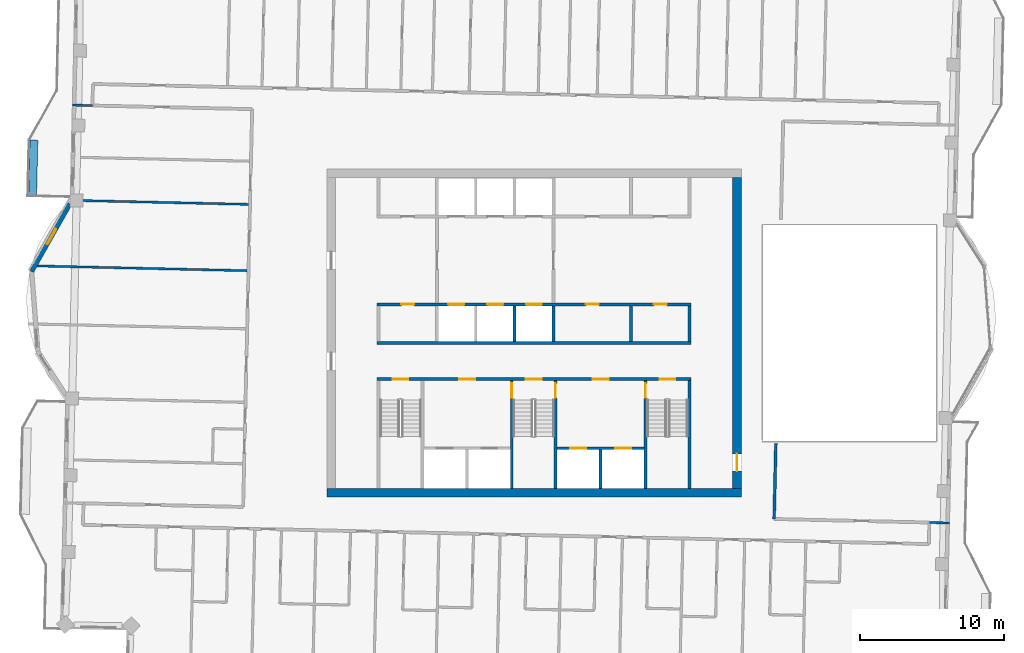
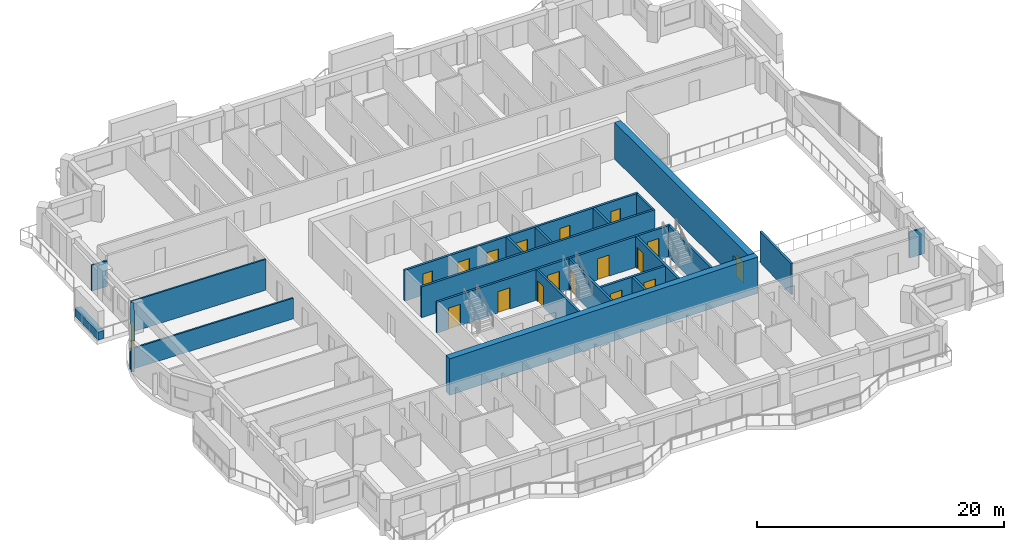
# One storey, part 7 of 15: 22 walls, 17 doors, 1 window, 18 openings.
"""IFC4 building model written with IfcOpenShell, lengths in metres."""

from ifc_helpers import new_model, si_unit, direction, frame, frame_2d, origin, place, context, subcontext, project, spatial, rectangle, extrude, material, layer, layer_set, type_object, element, fill, save


model = new_model("IFC4")

# Units and contexts
model_context = context("Model", 3, precision=1e-05, world=origin(), true_north=direction((0.0, 1.0)))
body_context = subcontext(model_context, "Body", "Model", "MODEL_VIEW")
ifc_project = project(units=[si_unit("LENGTHUNIT", "METRE"), si_unit("AREAUNIT", "SQUARE_METRE"), si_unit("VOLUMEUNIT", "CUBIC_METRE"), si_unit("PLANEANGLEUNIT", "RADIAN"), si_unit("MASSUNIT", "GRAM", prefix="KILO")], contexts=[model_context])

# Site, building, storey
site_placement = place(None, origin())
site = spatial("IfcSite", under=ifc_project, at=site_placement, CompositionType="ELEMENT")
building_placement = place(site_placement, origin())
building = spatial("IfcBuilding", under=site, at=building_placement, Name="Mangrove Gate Tower", CompositionType="ELEMENT")
storey_placement = place(building_placement, frame((0.0, 0.0, 309.699951171875)))
storey = spatial("IfcBuildingStorey", under=building, at=storey_placement, Name="L79", CompositionType="ELEMENT", Elevation=309.699951171875)

# Walls
ifc_material_1 = material(Name="Concrete C32/40", Category="concrete")
ifc_layer_1 = layer(ifc_material_1, 0.199951171875)
ifc_layer_set_1 = layer_set([ifc_layer_1], Name="Core room wall 200 C32/40")
wall_type_1 = type_object("IfcWallType", Name="Core room wall 200 C32/40", PredefinedType="STANDARD", material=ifc_layer_set_1)
for number, where, z_axis, x_axis, name in (
    (1, (6.75, -0.60009765625, 0.0), (0.0, 0.0, 1.0), (0.0, 1.0, 0.0), "WALL-L79-CORE-24"),
    (2, (10.800048828125, -0.60009765625, 0.0), (0.0, 0.0, 1.0), (0.0, 1.0, 0.0), "WALL-L79-CORE-25"),
):
    element("IfcWall", number, at=place(storey_placement, frame(where, z_axis=z_axis, x_axis=x_axis)), inside=storey, type_object=wall_type_1, Name=name, PredefinedType="STANDARD", context=body_context, shape_type="SweptSolid", body=[
        extrude(rectangle(XDim=2.5, YDim=0.199951171875, at=frame_2d((1.25, 0.0))), origin(), (0.0, 0.0, 1.0), 3.050048828125),
    ])
ifc_material_2 = material(Name="Concrete C50/60", Category="concrete")
ifc_layer_2 = layer(ifc_material_2, 0.199951171875)
ifc_layer_set_2 = layer_set([ifc_layer_2], Name="Core shaft wall 200 C50/60")
wall_type_2 = type_object("IfcWallType", Name="Core shaft wall 200 C50/60", PredefinedType="SHEAR", material=ifc_layer_set_2)
wall_1_placement = place(storey_placement, frame((-10.89990234375, -0.699951171875, 0.0), z_axis=(0.0, 0.0, 1.0), x_axis=(1.0, 0.0, 0.0)))
element("IfcWall", 3, at=wall_1_placement, inside=storey, type_object=wall_type_2, Name="WALL-L79-CORE-6", PredefinedType="SHEAR", context=body_context, shape_type="SweptSolid", body=[
    extrude(rectangle(XDim=21.7998046875, YDim=0.199951171875, at=frame_2d((10.89990234375, 0.0))), origin(), (0.0, 0.0, 1.0), 3.050048828125),
])

# Wall, openings, doors
wall_2_placement = place(storey_placement, frame((-10.89990234375, 2.0, 0.0), z_axis=(0.0, 0.0, 1.0), x_axis=(1.0, 0.0, 0.0)))
wall_2 = element("IfcWall", 4, at=wall_2_placement, inside=storey, type_object=wall_type_2, Name="WALL-L79-CORE-7", PredefinedType="SHEAR", context=body_context, shape_type="SweptSolid", body=[
    extrude(rectangle(XDim=21.7998046875, YDim=0.199951171875, at=frame_2d((10.89990234375, 0.0))), origin(), (0.0, 0.0, 1.0), 3.050048828125),
])
opening_1_placement = place(wall_2_placement, frame((4.949951171875, 0.0, 0.0)))
opening_1 = element("IfcOpeningElement", 5, at=opening_1_placement, cuts=wall_2, Name="Opening LD", PredefinedType="OPENING", context=body_context, shape_type="SweptSolid", body=[
    extrude(rectangle(XDim=1.10009765625, YDim=2.10009765625, at=frame_2d((0.550048828125, 1.050048828125))), frame((0.0, 0.10986328125, 0.0), z_axis=(0.0, -1.0, 0.0), x_axis=(1.0, 0.0, 0.0)), (0.0, 0.0, 1.0), 0.219970703125),
])
opening_2_placement = place(wall_2_placement, frame((7.64990234375, 0.0, 0.0)))
opening_2 = element("IfcOpeningElement", 6, at=opening_2_placement, cuts=wall_2, Name="Opening LD", PredefinedType="OPENING", context=body_context, shape_type="SweptSolid", body=[
    extrude(rectangle(XDim=1.10009765625, YDim=2.10009765625, at=frame_2d((0.550048828125, 1.050048828125))), frame((0.0, 0.10986328125, 0.0), z_axis=(0.0, -1.0, 0.0), x_axis=(1.0, 0.0, 0.0)), (0.0, 0.0, 1.0), 0.219970703125),
])
opening_3_placement = place(wall_2_placement, frame((10.35009765625, 0.0, 0.0)))
opening_3 = element("IfcOpeningElement", 7, at=opening_3_placement, cuts=wall_2, Name="Opening LD", PredefinedType="OPENING", context=body_context, shape_type="SweptSolid", body=[
    extrude(rectangle(XDim=1.10009765625, YDim=2.10009765625, at=frame_2d((0.550048828125, 1.050048828125))), frame((0.0, 0.10986328125, 0.0), z_axis=(0.0, -1.0, 0.0), x_axis=(1.0, 0.0, 0.0)), (0.0, 0.0, 1.0), 0.219970703125),
])
opening_4_placement = place(wall_2_placement, frame((1.675048828125, 0.0, 0.0)))
opening_4 = element("IfcOpeningElement", 8, at=opening_4_placement, cuts=wall_2, Name="Opening KD", PredefinedType="OPENING", context=body_context, shape_type="SweptSolid", body=[
    extrude(rectangle(XDim=0.89990234375, YDim=2.10009765625, at=frame_2d((0.449951171875, 1.050048828125))), frame((0.0, 0.10986328125, 0.0), z_axis=(0.0, -1.0, 0.0), x_axis=(1.0, 0.0, 0.0)), (0.0, 0.0, 1.0), 0.219970703125),
])
opening_5_placement = place(wall_2_placement, frame((14.5, 0.0, 0.0)))
opening_5 = element("IfcOpeningElement", 9, at=opening_5_placement, cuts=wall_2, Name="Opening KD", PredefinedType="OPENING", context=body_context, shape_type="SweptSolid", body=[
    extrude(rectangle(XDim=0.89990234375, YDim=2.10009765625, at=frame_2d((0.449951171875, 1.050048828125))), frame((0.0, 0.10986328125, 0.0), z_axis=(0.0, -1.0, 0.0), x_axis=(1.0, 0.0, 0.0)), (0.0, 0.0, 1.0), 0.219970703125),
])
opening_6_placement = place(wall_2_placement, frame((19.22509765625, 0.0, 0.0)))
opening_6 = element("IfcOpeningElement", 10, at=opening_6_placement, cuts=wall_2, Name="Opening RD", PredefinedType="OPENING", context=body_context, shape_type="SweptSolid", body=[
    extrude(rectangle(XDim=0.89990234375, YDim=2.10009765625, at=frame_2d((0.449951171875, 1.050048828125))), frame((0.0, 0.10986328125, 0.0), z_axis=(0.0, -1.0, 0.0), x_axis=(1.0, 0.0, 0.0)), (0.0, 0.0, 1.0), 0.219970703125),
])
ifc_material_3 = material(Name="Fire-rated steel door set", Category="steel")
door_type_1 = type_object("IfcDoorType", Name="Core room door FD30S 900x2100", OperationType="SINGLE_SWING_RIGHT", PredefinedType="DOOR", material=ifc_material_3)
door_1_placement = place(opening_4_placement, origin())
door_1 = element("IfcDoor", 11, at=door_1_placement, inside=storey, type_object=door_type_1, Name="Core room door Cleaner's store", OperationType="SINGLE_SWING_RIGHT", OverallHeight=2.10009765625, OverallWidth=0.89990234375, PredefinedType="DOOR", context=body_context, shape_type="SweptSolid", body=[
    extrude(rectangle(XDim=0.89990234375, YDim=2.10009765625, at=frame_2d((0.449951171875, 1.050048828125))), frame((0.0, 0.02490234375, 0.0), z_axis=(0.0, -1.0, 0.0), x_axis=(1.0, 0.0, 0.0)), (0.0, 0.0, 1.0), 0.050048828125),
])
fill(opening_4, door_1)
door_2_placement = place(opening_5_placement, origin())
door_2 = element("IfcDoor", 12, at=door_2_placement, inside=storey, type_object=door_type_1, Name="Core room door Refuse store", OperationType="SINGLE_SWING_RIGHT", OverallHeight=2.10009765625, OverallWidth=0.89990234375, PredefinedType="DOOR", context=body_context, shape_type="SweptSolid", body=[
    extrude(rectangle(XDim=0.89990234375, YDim=2.10009765625, at=frame_2d((0.449951171875, 1.050048828125))), frame((0.0, 0.02490234375, 0.0), z_axis=(0.0, -1.0, 0.0), x_axis=(1.0, 0.0, 0.0)), (0.0, 0.0, 1.0), 0.050048828125),
])
fill(opening_5, door_2)
ifc_material_4 = material(Name="Stainless steel 316", Category="steel")
door_type_2 = type_object("IfcDoorType", Name="Lift landing door 1100x2100", OperationType="SLIDING_TO_LEFT", PredefinedType="DOOR", material=ifc_material_4)
door_3_placement = place(opening_1_placement, origin())
door_3 = element("IfcDoor", 13, at=door_3_placement, inside=storey, type_object=door_type_2, Name="Landing door LD H01", OperationType="SLIDING_TO_LEFT", OverallHeight=2.10009765625, OverallWidth=1.10009765625, PredefinedType="DOOR", context=body_context, shape_type="SweptSolid", body=[
    extrude(rectangle(XDim=1.10009765625, YDim=2.10009765625, at=frame_2d((0.550048828125, 1.050048828125))), frame((0.0, 0.02490234375, 0.0), z_axis=(0.0, -1.0, 0.0), x_axis=(1.0, 0.0, 0.0)), (0.0, 0.0, 1.0), 0.050048828125),
])
fill(opening_1, door_3)
door_4_placement = place(opening_2_placement, origin())
door_4 = element("IfcDoor", 14, at=door_4_placement, inside=storey, type_object=door_type_2, Name="Landing door LD H02", OperationType="SLIDING_TO_LEFT", OverallHeight=2.10009765625, OverallWidth=1.10009765625, PredefinedType="DOOR", context=body_context, shape_type="SweptSolid", body=[
    extrude(rectangle(XDim=1.10009765625, YDim=2.10009765625, at=frame_2d((0.550048828125, 1.050048828125))), frame((0.0, 0.02490234375, 0.0), z_axis=(0.0, -1.0, 0.0), x_axis=(1.0, 0.0, 0.0)), (0.0, 0.0, 1.0), 0.050048828125),
])
fill(opening_2, door_4)
door_5_placement = place(opening_3_placement, origin())
door_5 = element("IfcDoor", 15, at=door_5_placement, inside=storey, type_object=door_type_2, Name="Landing door LD H03", OperationType="SLIDING_TO_LEFT", OverallHeight=2.10009765625, OverallWidth=1.10009765625, PredefinedType="DOOR", context=body_context, shape_type="SweptSolid", body=[
    extrude(rectangle(XDim=1.10009765625, YDim=2.10009765625, at=frame_2d((0.550048828125, 1.050048828125))), frame((0.0, 0.02490234375, 0.0), z_axis=(0.0, -1.0, 0.0), x_axis=(1.0, 0.0, 0.0)), (0.0, 0.0, 1.0), 0.050048828125),
])
fill(opening_3, door_5)
ifc_material_5 = material(Name="Fire-rated steel door set", Category="steel")
door_type_3 = type_object("IfcDoorType", Name="Riser door FD30S 900x2100", OperationType="SINGLE_SWING_LEFT", PredefinedType="DOOR", material=ifc_material_5)
door_6_placement = place(opening_6_placement, origin())
door_6 = element("IfcDoor", 16, at=door_6_placement, inside=storey, type_object=door_type_3, Name="Riser door Electrical room", OperationType="SINGLE_SWING_LEFT", OverallHeight=2.10009765625, OverallWidth=0.89990234375, PredefinedType="DOOR", context=body_context, shape_type="SweptSolid", body=[
    extrude(rectangle(XDim=0.89990234375, YDim=2.10009765625, at=frame_2d((0.449951171875, 1.050048828125))), frame((0.0, 0.02490234375, 0.0), z_axis=(0.0, -1.0, 0.0), x_axis=(1.0, 0.0, 0.0)), (0.0, 0.0, 1.0), 0.050048828125),
])
fill(opening_6, door_6)

wall_3_placement = place(storey_placement, frame((1.60009765625, -8.0, 0.0), z_axis=(0.0, 0.0, 1.0), x_axis=(1.0, 0.0, 0.0)))
wall_3 = element("IfcWall", 17, at=wall_3_placement, inside=storey, type_object=wall_type_2, Name="WALL-L79-CORE-17", PredefinedType="SHEAR", context=body_context, shape_type="SweptSolid", body=[
    extrude(rectangle(XDim=6.0498046875, YDim=0.199951171875, at=frame_2d((3.02490234375, 0.0))), origin(), (0.0, 0.0, 1.0), 3.050048828125),
])
opening_7_placement = place(wall_3_placement, frame((0.91259765625, 0.0, 0.0)))
opening_7 = element("IfcOpeningElement", 18, at=opening_7_placement, cuts=wall_3, Name="Opening LD", PredefinedType="OPENING", context=body_context, shape_type="SweptSolid", body=[
    extrude(rectangle(XDim=1.10009765625, YDim=2.10009765625, at=frame_2d((0.550048828125, 1.050048828125))), frame((0.0, 0.10986328125, 0.0), z_axis=(0.0, -1.0, 0.0), x_axis=(1.0, 0.0, 0.0)), (0.0, 0.0, 1.0), 0.219970703125),
])
opening_8_placement = place(wall_3_placement, frame((4.03759765625, 0.0, 0.0)))
opening_8 = element("IfcOpeningElement", 19, at=opening_8_placement, cuts=wall_3, Name="Opening LD", PredefinedType="OPENING", context=body_context, shape_type="SweptSolid", body=[
    extrude(rectangle(XDim=1.10009765625, YDim=2.10009765625, at=frame_2d((0.550048828125, 1.050048828125))), frame((0.0, 0.10986328125, 0.0), z_axis=(0.0, -1.0, 0.0), x_axis=(1.0, 0.0, 0.0)), (0.0, 0.0, 1.0), 0.219970703125),
])
door_7_placement = place(opening_7_placement, origin())
door_7 = element("IfcDoor", 20, at=door_7_placement, inside=storey, type_object=door_type_2, Name="Landing door LD FFL1", OperationType="SLIDING_TO_LEFT", OverallHeight=2.10009765625, OverallWidth=1.10009765625, PredefinedType="DOOR", context=body_context, shape_type="SweptSolid", body=[
    extrude(rectangle(XDim=1.10009765625, YDim=2.10009765625, at=frame_2d((0.550048828125, 1.050048828125))), frame((0.0, 0.02490234375, 0.0), z_axis=(0.0, -1.0, 0.0), x_axis=(1.0, 0.0, 0.0)), (0.0, 0.0, 1.0), 0.050048828125),
])
fill(opening_7, door_7)
door_8_placement = place(opening_8_placement, origin())
door_8 = element("IfcDoor", 21, at=door_8_placement, inside=storey, type_object=door_type_2, Name="Landing door LD FFL2", OperationType="SLIDING_TO_LEFT", OverallHeight=2.10009765625, OverallWidth=1.10009765625, PredefinedType="DOOR", context=body_context, shape_type="SweptSolid", body=[
    extrude(rectangle(XDim=1.10009765625, YDim=2.10009765625, at=frame_2d((0.550048828125, 1.050048828125))), frame((0.0, 0.02490234375, 0.0), z_axis=(0.0, -1.0, 0.0), x_axis=(1.0, 0.0, 0.0)), (0.0, 0.0, 1.0), 0.050048828125),
])
fill(opening_8, door_8)

# Walls
wall_4_placement = place(storey_placement, frame((4.625, -10.800048828125, 0.0), z_axis=(0.0, 0.0, 1.0), x_axis=(0.0, 1.0, 0.0)))
element("IfcWall", 22, at=wall_4_placement, inside=storey, type_object=wall_type_2, Name="WALL-L79-CORE-18", PredefinedType="SHEAR", context=body_context, shape_type="SweptSolid", body=[
    extrude(rectangle(XDim=2.699951171875, YDim=0.199951171875, at=frame_2d((1.35009765625, 0.0))), origin(), (0.0, 0.0, 1.0), 3.050048828125),
])
for number, where, z_axis, x_axis, name in (
    (23, (-1.35009765625, -0.60009765625, 0.0), (0.0, 0.0, 1.0), (0.0, 1.0, 0.0), "WALL-L79-CORE-22"),
    (24, (1.35009765625, -0.60009765625, 0.0), (0.0, 0.0, 1.0), (0.0, 1.0, 0.0), "WALL-L79-CORE-23"),
):
    element("IfcWall", number, at=place(storey_placement, frame(where, z_axis=z_axis, x_axis=x_axis)), inside=storey, type_object=wall_type_2, Name=name, PredefinedType="SHEAR", context=body_context, shape_type="SweptSolid", body=[
        extrude(rectangle(XDim=2.5, YDim=0.199951171875, at=frame_2d((1.25, 0.0))), origin(), (0.0, 0.0, 1.0), 3.050048828125),
    ])

# Wall, openings, doors
ifc_material_6 = material(Name="Concrete C50/60", Category="concrete")
ifc_layer_3 = layer(ifc_material_6, 0.199951171875)
ifc_layer_set_3 = layer_set([ifc_layer_3], Name="Core stair wall 200 C50/60")
wall_type_3 = type_object("IfcWallType", Name="Core stair wall 200 C50/60", PredefinedType="SHEAR", material=ifc_layer_set_3)
wall_5_placement = place(storey_placement, frame((-10.89990234375, -3.199951171875, 0.0), z_axis=(0.0, 0.0, 1.0), x_axis=(1.0, 0.0, 0.0)))
wall_5 = element("IfcWall", 25, at=wall_5_placement, inside=storey, type_object=wall_type_3, Name="WALL-L79-CORE-5", PredefinedType="SHEAR", context=body_context, shape_type="SweptSolid", body=[
    extrude(rectangle(XDim=21.7998046875, YDim=0.199951171875, at=frame_2d((10.89990234375, 0.0))), origin(), (0.0, 0.0, 1.0), 3.050048828125),
])
opening_9_placement = place(wall_5_placement, frame((1.074951171875, 0.0, 0.0)))
opening_9 = element("IfcOpeningElement", 26, at=opening_9_placement, cuts=wall_5, Name="Opening STD11", PredefinedType="OPENING", context=body_context, shape_type="SweptSolid", body=[
    extrude(rectangle(XDim=1.10009765625, YDim=2.10009765625, at=frame_2d((0.550048828125, 1.050048828125))), frame((0.0, 0.10986328125, 0.0), z_axis=(0.0, -1.0, 0.0), x_axis=(1.0, 0.0, 0.0)), (0.0, 0.0, 1.0), 0.219970703125),
])
opening_10_placement = place(wall_5_placement, frame((10.324951171875, 0.0, 0.0)))
opening_10 = element("IfcOpeningElement", 27, at=opening_10_placement, cuts=wall_5, Name="Opening STD11", PredefinedType="OPENING", context=body_context, shape_type="SweptSolid", body=[
    extrude(rectangle(XDim=1.10009765625, YDim=2.10009765625, at=frame_2d((0.550048828125, 1.050048828125))), frame((0.0, 0.10986328125, 0.0), z_axis=(0.0, -1.0, 0.0), x_axis=(1.0, 0.0, 0.0)), (0.0, 0.0, 1.0), 0.219970703125),
])
opening_11_placement = place(wall_5_placement, frame((19.625, 0.0, 0.0)))
opening_11 = element("IfcOpeningElement", 28, at=opening_11_placement, cuts=wall_5, Name="Opening STD11", PredefinedType="OPENING", context=body_context, shape_type="SweptSolid", body=[
    extrude(rectangle(XDim=1.10009765625, YDim=2.10009765625, at=frame_2d((0.550048828125, 1.050048828125))), frame((0.0, 0.10986328125, 0.0), z_axis=(0.0, -1.0, 0.0), x_axis=(1.0, 0.0, 0.0)), (0.0, 0.0, 1.0), 0.219970703125),
])
opening_12_placement = place(wall_5_placement, frame((5.699951171875, 0.0, 0.0)))
opening_12 = element("IfcOpeningElement", 29, at=opening_12_placement, cuts=wall_5, Name="Opening FL", PredefinedType="OPENING", context=body_context, shape_type="SweptSolid", body=[
    extrude(rectangle(XDim=1.10009765625, YDim=2.10009765625, at=frame_2d((0.550048828125, 1.050048828125))), frame((0.0, 0.10986328125, 0.0), z_axis=(0.0, -1.0, 0.0), x_axis=(1.0, 0.0, 0.0)), (0.0, 0.0, 1.0), 0.219970703125),
])
opening_13_placement = place(wall_5_placement, frame((14.97509765625, 0.0, 0.0)))
opening_13 = element("IfcOpeningElement", 30, at=opening_13_placement, cuts=wall_5, Name="Opening FL", PredefinedType="OPENING", context=body_context, shape_type="SweptSolid", body=[
    extrude(rectangle(XDim=1.10009765625, YDim=2.10009765625, at=frame_2d((0.550048828125, 1.050048828125))), frame((0.0, 0.10986328125, 0.0), z_axis=(0.0, -1.0, 0.0), x_axis=(1.0, 0.0, 0.0)), (0.0, 0.0, 1.0), 0.219970703125),
])
ifc_material_7 = material(Name="Fire-rated steel door set", Category="steel")
door_type_4 = type_object("IfcDoorType", Name="Lobby door FD60 1100x2100", OperationType="SINGLE_SWING_LEFT", PredefinedType="DOOR", material=ifc_material_7)
door_9_placement = place(opening_12_placement, origin())
door_9 = element("IfcDoor", 31, at=door_9_placement, inside=storey, type_object=door_type_4, Name="Lobby door service lobby", OperationType="SINGLE_SWING_LEFT", OverallHeight=2.10009765625, OverallWidth=1.10009765625, PredefinedType="DOOR", context=body_context, shape_type="SweptSolid", body=[
    extrude(rectangle(XDim=1.10009765625, YDim=2.10009765625, at=frame_2d((0.550048828125, 1.050048828125))), frame((0.0, 0.02490234375, 0.0), z_axis=(0.0, -1.0, 0.0), x_axis=(1.0, 0.0, 0.0)), (0.0, 0.0, 1.0), 0.050048828125),
])
fill(opening_12, door_9)
door_10_placement = place(opening_13_placement, origin())
door_10 = element("IfcDoor", 32, at=door_10_placement, inside=storey, type_object=door_type_4, Name="Lobby door fire-fighting lobby", OperationType="SINGLE_SWING_LEFT", OverallHeight=2.10009765625, OverallWidth=1.10009765625, PredefinedType="DOOR", context=body_context, shape_type="SweptSolid", body=[
    extrude(rectangle(XDim=1.10009765625, YDim=2.10009765625, at=frame_2d((0.550048828125, 1.050048828125))), frame((0.0, 0.02490234375, 0.0), z_axis=(0.0, -1.0, 0.0), x_axis=(1.0, 0.0, 0.0)), (0.0, 0.0, 1.0), 0.050048828125),
])
fill(opening_13, door_10)
ifc_material_8 = material(Name="Fire-rated steel door set", Category="steel")
door_type_5 = type_object("IfcDoorType", Name="Stair door FD60 1100x2100", OperationType="SINGLE_SWING_RIGHT", PredefinedType="DOOR", material=ifc_material_8)
door_11_placement = place(opening_9_placement, origin())
door_11 = element("IfcDoor", 33, at=door_11_placement, inside=storey, type_object=door_type_5, Name="Stair door Stair 1", OperationType="SINGLE_SWING_RIGHT", OverallHeight=2.10009765625, OverallWidth=1.10009765625, PredefinedType="DOOR", context=body_context, shape_type="SweptSolid", body=[
    extrude(rectangle(XDim=1.10009765625, YDim=2.10009765625, at=frame_2d((0.550048828125, 1.050048828125))), frame((0.0, 0.02490234375, 0.0), z_axis=(0.0, -1.0, 0.0), x_axis=(1.0, 0.0, 0.0)), (0.0, 0.0, 1.0), 0.050048828125),
])
fill(opening_9, door_11)
door_12_placement = place(opening_10_placement, origin())
door_12 = element("IfcDoor", 34, at=door_12_placement, inside=storey, type_object=door_type_5, Name="Stair door Stair 2", OperationType="SINGLE_SWING_RIGHT", OverallHeight=2.10009765625, OverallWidth=1.10009765625, PredefinedType="DOOR", context=body_context, shape_type="SweptSolid", body=[
    extrude(rectangle(XDim=1.10009765625, YDim=2.10009765625, at=frame_2d((0.550048828125, 1.050048828125))), frame((0.0, 0.02490234375, 0.0), z_axis=(0.0, -1.0, 0.0), x_axis=(1.0, 0.0, 0.0)), (0.0, 0.0, 1.0), 0.050048828125),
])
fill(opening_10, door_12)
door_13_placement = place(opening_11_placement, origin())
door_13 = element("IfcDoor", 35, at=door_13_placement, inside=storey, type_object=door_type_5, Name="Stair door Stair 3", OperationType="SINGLE_SWING_RIGHT", OverallHeight=2.10009765625, OverallWidth=1.10009765625, PredefinedType="DOOR", context=body_context, shape_type="SweptSolid", body=[
    extrude(rectangle(XDim=1.10009765625, YDim=2.10009765625, at=frame_2d((0.550048828125, 1.050048828125))), frame((0.0, 0.02490234375, 0.0), z_axis=(0.0, -1.0, 0.0), x_axis=(1.0, 0.0, 0.0)), (0.0, 0.0, 1.0), 0.050048828125),
])
fill(opening_11, door_13)

# Wall, opening, door
wall_6_placement = place(storey_placement, frame((-1.550048828125, -10.800048828125, 0.0), z_axis=(0.0, 0.0, 1.0), x_axis=(0.0, 1.0, 0.0)))
wall_6 = element("IfcWall", 36, at=wall_6_placement, inside=storey, type_object=wall_type_3, Name="WALL-L79-CORE-11", PredefinedType="SHEAR", context=body_context, shape_type="SweptSolid", body=[
    extrude(rectangle(XDim=7.5, YDim=0.199951171875, at=frame_2d((3.75, 0.0))), origin(), (0.0, 0.0, 1.0), 3.050048828125),
])
opening_14_placement = place(wall_6_placement, frame((6.300048828125, 0.0, 0.0)))
opening_14 = element("IfcOpeningElement", 37, at=opening_14_placement, cuts=wall_6, Name="Opening STD10", PredefinedType="OPENING", context=body_context, shape_type="SweptSolid", body=[
    extrude(rectangle(XDim=1.0, YDim=2.10009765625, at=frame_2d((0.5, 1.050048828125))), frame((0.0, 0.10986328125, 0.0), z_axis=(0.0, -1.0, 0.0), x_axis=(1.0, 0.0, 0.0)), (0.0, 0.0, 1.0), 0.219970703125),
])
ifc_material_9 = material(Name="Fire-rated steel door set", Category="steel")
door_type_6 = type_object("IfcDoorType", Name="Stair door FD60 1000x2100", OperationType="SINGLE_SWING_RIGHT", PredefinedType="DOOR", material=ifc_material_9)
door_14_placement = place(opening_14_placement, origin())
door_14 = element("IfcDoor", 38, at=door_14_placement, inside=storey, type_object=door_type_6, Name="Stair door Stair 2 from service lobby", OperationType="SINGLE_SWING_RIGHT", OverallHeight=2.10009765625, OverallWidth=1.0, PredefinedType="DOOR", context=body_context, shape_type="SweptSolid", body=[
    extrude(rectangle(XDim=1.0, YDim=2.10009765625, at=frame_2d((0.5, 1.050048828125))), frame((0.0, 0.02490234375, 0.0), z_axis=(0.0, -1.0, 0.0), x_axis=(1.0, 0.0, 0.0)), (0.0, 0.0, 1.0), 0.050048828125),
])
fill(opening_14, door_14)

wall_7_placement = place(storey_placement, frame((1.5, -10.800048828125, 0.0), z_axis=(0.0, 0.0, 1.0), x_axis=(0.0, 1.0, 0.0)))
wall_7 = element("IfcWall", 39, at=wall_7_placement, inside=storey, type_object=wall_type_3, Name="WALL-L79-CORE-12", PredefinedType="SHEAR", context=body_context, shape_type="SweptSolid", body=[
    extrude(rectangle(XDim=7.5, YDim=0.199951171875, at=frame_2d((3.75, 0.0))), origin(), (0.0, 0.0, 1.0), 3.050048828125),
])
opening_15_placement = place(wall_7_placement, frame((6.300048828125, 0.0, 0.0)))
opening_15 = element("IfcOpeningElement", 40, at=opening_15_placement, cuts=wall_7, Name="Opening STD10", PredefinedType="OPENING", context=body_context, shape_type="SweptSolid", body=[
    extrude(rectangle(XDim=1.0, YDim=2.10009765625, at=frame_2d((0.5, 1.050048828125))), frame((0.0, 0.10986328125, 0.0), z_axis=(0.0, -1.0, 0.0), x_axis=(1.0, 0.0, 0.0)), (0.0, 0.0, 1.0), 0.219970703125),
])
door_15_placement = place(opening_15_placement, origin())
door_15 = element("IfcDoor", 41, at=door_15_placement, inside=storey, type_object=door_type_6, Name="Stair door Stair 2 from fire-fighting lobby", OperationType="SINGLE_SWING_RIGHT", OverallHeight=2.10009765625, OverallWidth=1.0, PredefinedType="DOOR", context=body_context, shape_type="SweptSolid", body=[
    extrude(rectangle(XDim=1.0, YDim=2.10009765625, at=frame_2d((0.5, 1.050048828125))), frame((0.0, 0.02490234375, 0.0), z_axis=(0.0, -1.0, 0.0), x_axis=(1.0, 0.0, 0.0)), (0.0, 0.0, 1.0), 0.050048828125),
])
fill(opening_15, door_15)

wall_8_placement = place(storey_placement, frame((7.75, -10.800048828125, 0.0), z_axis=(0.0, 0.0, 1.0), x_axis=(0.0, 1.0, 0.0)))
wall_8 = element("IfcWall", 42, at=wall_8_placement, inside=storey, type_object=wall_type_3, Name="WALL-L79-CORE-13", PredefinedType="SHEAR", context=body_context, shape_type="SweptSolid", body=[
    extrude(rectangle(XDim=7.5, YDim=0.199951171875, at=frame_2d((3.75, 0.0))), origin(), (0.0, 0.0, 1.0), 3.050048828125),
])
opening_16_placement = place(wall_8_placement, frame((6.300048828125, 0.0, 0.0)))
opening_16 = element("IfcOpeningElement", 43, at=opening_16_placement, cuts=wall_8, Name="Opening STD10", PredefinedType="OPENING", context=body_context, shape_type="SweptSolid", body=[
    extrude(rectangle(XDim=1.0, YDim=2.10009765625, at=frame_2d((0.5, 1.050048828125))), frame((0.0, 0.10986328125, 0.0), z_axis=(0.0, -1.0, 0.0), x_axis=(1.0, 0.0, 0.0)), (0.0, 0.0, 1.0), 0.219970703125),
])
door_16_placement = place(opening_16_placement, origin())
door_16 = element("IfcDoor", 44, at=door_16_placement, inside=storey, type_object=door_type_6, Name="Stair door Stair 3 from fire-fighting lobby", OperationType="SINGLE_SWING_RIGHT", OverallHeight=2.10009765625, OverallWidth=1.0, PredefinedType="DOOR", context=body_context, shape_type="SweptSolid", body=[
    extrude(rectangle(XDim=1.0, YDim=2.10009765625, at=frame_2d((0.5, 1.050048828125))), frame((0.0, 0.02490234375, 0.0), z_axis=(0.0, -1.0, 0.0), x_axis=(1.0, 0.0, 0.0)), (0.0, 0.0, 1.0), 0.050048828125),
])
fill(opening_16, door_16)

# Walls
wall_9_placement = place(storey_placement, frame((10.800048828125, -10.800048828125, 0.0), z_axis=(0.0, 0.0, 1.0), x_axis=(0.0, 1.0, 0.0)))
element("IfcWall", 45, at=wall_9_placement, inside=storey, type_object=wall_type_3, Name="WALL-L79-CORE-14", PredefinedType="SHEAR", context=body_context, shape_type="SweptSolid", body=[
    extrude(rectangle(XDim=7.5, YDim=0.199951171875, at=frame_2d((3.75, 0.0))), origin(), (0.0, 0.0, 1.0), 3.050048828125),
])
ifc_material_10 = material(Name="Concrete C50/60", Category="concrete")
ifc_layer_4 = layer(ifc_material_10, 0.60009765625)
ifc_layer_set_4 = layer_set([ifc_layer_4], Name="Core wall 600 C50/60")
wall_type_4 = type_object("IfcWallType", Name="Core wall 600 C50/60", PredefinedType="SHEAR", material=ifc_layer_set_4)
wall_10_placement = place(storey_placement, frame((-14.39990234375, -11.10009765625, 0.0), z_axis=(0.0, 0.0, 1.0), x_axis=(1.0, 0.0, 0.0)))
element("IfcWall", 46, at=wall_10_placement, inside=storey, type_object=wall_type_4, Name="WALL-L79-CORE-1", PredefinedType="SHEAR", context=body_context, shape_type="SweptSolid", body=[
    extrude(rectangle(XDim=28.7998046875, YDim=0.60009765625, at=frame_2d((14.39990234375, 0.0))), origin(), (0.0, 0.0, 1.0), 3.60009765625),
])

# Wall, opening, door
wall_11_placement = place(storey_placement, frame((14.10009765625, -10.800048828125, 0.0), z_axis=(0.0, 0.0, 1.0), x_axis=(0.0, 1.0, 0.0)))
wall_11 = element("IfcWall", 47, at=wall_11_placement, inside=storey, type_object=wall_type_4, Name="WALL-L79-CORE-4", PredefinedType="SHEAR", context=body_context, shape_type="SweptSolid", body=[
    extrude(rectangle(XDim=21.60009765625, YDim=0.60009765625, at=frame_2d((10.800048828125, 0.0))), origin(), (0.0, 0.0, 1.0), 3.60009765625),
])
opening_17_placement = place(wall_11_placement, frame((1.199951171875, 0.0, 0.0)))
opening_17 = element("IfcOpeningElement", 48, at=opening_17_placement, cuts=wall_11, Name="Opening CD", PredefinedType="OPENING", context=body_context, shape_type="SweptSolid", body=[
    extrude(rectangle(XDim=1.199951171875, YDim=2.10009765625, at=frame_2d((0.60009765625, 1.050048828125))), frame((0.0, 0.31005859375, 0.0), z_axis=(0.0, -1.0, 0.0), x_axis=(1.0, 0.0, 0.0)), (0.0, 0.0, 1.0), 0.6201171875),
])
ifc_material_11 = material(Name="Fire-rated steel door set", Category="steel")
door_type_7 = type_object("IfcDoorType", Name="Core ring door FD60 1200x2100", OperationType="DOUBLE_DOOR_SINGLE_SWING", PredefinedType="DOOR", material=ifc_material_11)
door_17_placement = place(opening_17_placement, origin())
door_17 = element("IfcDoor", 49, at=door_17_placement, inside=storey, type_object=door_type_7, Name="Core ring door E1", OperationType="DOUBLE_DOOR_SINGLE_SWING", OverallHeight=2.10009765625, OverallWidth=1.199951171875, PredefinedType="DOOR", context=body_context, shape_type="SweptSolid", body=[
    extrude(rectangle(XDim=1.199951171875, YDim=2.10009765625, at=frame_2d((0.60009765625, 1.050048828125))), frame((0.0, 0.02490234375, 0.0), z_axis=(0.0, -1.0, 0.0), x_axis=(1.0, 0.0, 0.0)), (0.0, 0.0, 1.0), 0.050048828125),
])
fill(opening_17, door_17)

# Wall
ifc_material_12 = material(Name="Gypsum board on steel stud, EI 60", Category="steel")
ifc_layer_5 = layer(ifc_material_12, 0.199951171875)
ifc_layer_set_5 = layer_set([ifc_layer_5], Name="Corridor wall EI 60")
wall_type_5 = type_object("IfcWallType", Name="Corridor wall EI 60", PredefinedType="PARTITIONING", material=ifc_layer_set_5)
wall_12_placement = place(storey_placement, frame((16.68408203125, -12.9189453125, 0.0), z_axis=(0.0, 0.0, 1.0), x_axis=(0.022667483124, 0.999743059595, 0.0)))
element("IfcWall", 50, at=wall_12_placement, inside=storey, type_object=wall_type_5, Name="WALL-L79-041", PredefinedType="PARTITIONING", context=body_context, shape_type="SweptSolid", body=[
    extrude(rectangle(XDim=5.245361328125, YDim=0.199951171875, at=frame_2d((2.62255859375, 0.0))), origin(), (0.0, 0.0, 1.0), 3.050048828125),
])

# Wall, opening, window
ifc_material_13 = material(Name="Limestone", Category="masonry")
ifc_layer_6 = layer(ifc_material_13, 0.0400390625, Name="Limestone cladding")
ifc_material_14 = material(Name="Ventilated air gap")
ifc_layer_7 = layer(ifc_material_14, 0.0400390625, Name="Ventilated cavity")
ifc_material_15 = material(Name="Mineral wool insulation")
ifc_layer_8 = layer(ifc_material_15, 0.06005859375, Name="Insulation")
ifc_material_16 = material(Name="Breather membrane")
ifc_layer_9 = layer(ifc_material_16, 0.001953125, Name="Breather membrane")
ifc_material_17 = material(Name="Concrete C20/25 blockwork", Category="masonry")
ifc_layer_10 = layer(ifc_material_17, 0.14990234375, Name="Blockwork backing wall")
ifc_material_18 = material(Name="Gypsum plaster")
ifc_layer_11 = layer(ifc_material_18, 0.008056640625, Name="Internal plaster")
ifc_layer_set_6 = layer_set([ifc_layer_6, ifc_layer_7, ifc_layer_8, ifc_layer_9, ifc_layer_10, ifc_layer_11], Name="External wall 300 limestone cladding")
wall_type_6 = type_object("IfcWallType", Name="External wall 300 limestone cladding", PredefinedType="SOLIDWALL", material=ifc_layer_set_6)
wall_13_placement = place(storey_placement, frame((-32.251953125, 8.97802734375, 0.0), z_axis=(0.0, 0.0, 1.0), x_axis=(-0.492554919955, -0.870281363025, 0.0)))
wall_13 = element("IfcWall", 51, at=wall_13_placement, inside=storey, type_object=wall_type_6, Name="WALL-L79-W9f1", PredefinedType="SOLIDWALL", context=body_context, shape_type="SweptSolid", body=[
    extrude(rectangle(XDim=5.398193359375, YDim=0.300048828125, at=frame_2d((2.69921875, 0.0))), origin(), (0.0, 0.0, 1.0), 3.050048828125),
])
opening_18_placement = place(wall_13_placement, frame((2.008056640625, 0.0, 0.89990234375)))
opening_18 = element("IfcOpeningElement", 52, at=opening_18_placement, cuts=wall_13, Name="Opening W1", PredefinedType="OPENING", context=body_context, shape_type="SweptSolid", body=[
    extrude(rectangle(XDim=1.199951171875, YDim=1.5, at=frame_2d((0.60009765625, 0.75))), frame((0.0, 0.159912109375, 0.0), z_axis=(0.0, -1.0, 0.0), x_axis=(1.0, 0.0, 0.0)), (0.0, 0.0, 1.0), 0.320068359375),
])
ifc_material_19 = material(Name="Aluminium frame with double-glazed low-e glass", Category="aluminium")
window_type = type_object("IfcWindowType", Name="Side lite 1200x1500", PartitioningType="SINGLE_PANEL", PredefinedType="WINDOW", material=ifc_material_19)
window_placement = place(opening_18_placement, origin())
window = element("IfcWindow", 53, at=window_placement, inside=storey, type_object=window_type, Name="WIN-L79-W9f1", OverallHeight=1.5, OverallWidth=1.199951171875, PartitioningType="SINGLE_PANEL", PredefinedType="WINDOW", context=body_context, shape_type="SweptSolid", body=[
    extrude(rectangle(XDim=1.199951171875, YDim=1.5, at=frame_2d((0.60009765625, 0.75))), frame((0.0, 0.030029296875, 0.0), z_axis=(0.0, -1.0, 0.0), x_axis=(1.0, 0.0, 0.0)), (0.0, 0.0, 1.0), 0.06005859375),
])
fill(opening_18, window)

# Walls
ifc_material_20 = material(Name="Gypsum board on steel stud, EI 60", Category="steel")
ifc_layer_12 = layer(ifc_material_20, 0.14990234375)
ifc_layer_set_7 = layer_set([ifc_layer_12], Name="Party wall 150 EI 60")
wall_type_7 = type_object("IfcWallType", Name="Party wall 150 EI 60", PredefinedType="PARTITIONING", material=ifc_layer_set_7)
wall_14_placement = place(storey_placement, frame((27.467041015625, -13.1630859375, 0.0), z_axis=(0.0, 0.0, 1.0), x_axis=(0.999740667531, -0.022772739949, 0.0)))
element("IfcWall", 54, at=wall_14_placement, inside=storey, type_object=wall_type_7, Name="WALL-L79-042", PredefinedType="PARTITIONING", context=body_context, shape_type="SweptSolid", body=[
    extrude(rectangle(XDim=1.404296875, YDim=0.14990234375, at=frame_2d((0.7021484375, 0.0))), origin(), (0.0, 0.0, 1.0), 2.550048828125),
])
wall_15_placement = place(storey_placement, frame((-34.93408203125, 4.677001953125, 0.0), z_axis=(0.0, 0.0, 1.0), x_axis=(0.99974273422, -0.022681829163, 0.0)))
element("IfcWall", 55, at=wall_15_placement, inside=storey, type_object=wall_type_7, Name="WALL-L79-048", PredefinedType="PARTITIONING", context=body_context, shape_type="SweptSolid", body=[
    extrude(rectangle(XDim=14.993896484375, YDim=0.14990234375, at=frame_2d((7.4970703125, 0.0))), origin(), (0.0, 0.0, 1.0), 2.050048828125),
])
wall_16_placement = place(storey_placement, frame((-32.236083984375, 9.22705078125, 0.0), z_axis=(0.0, 0.0, 1.0), x_axis=(0.999743195783, -0.022661475803, 0.0)))
element("IfcWall", 56, at=wall_16_placement, inside=storey, type_object=wall_type_7, Name="WALL-L79-050", PredefinedType="PARTITIONING", context=body_context, shape_type="SweptSolid", body=[
    extrude(rectangle(XDim=12.400146484375, YDim=0.14990234375, at=frame_2d((6.2001953125, 0.0))), origin(), (0.0, 0.0, 1.0), 3.050048828125),
])
wall_17_placement = place(storey_placement, frame((-32.0859375, 15.844970703125, 0.0), z_axis=(0.0, 0.0, 1.0), x_axis=(0.999740667531, -0.022772739949, 0.0)))
element("IfcWall", 57, at=wall_17_placement, inside=storey, type_object=wall_type_7, Name="WALL-L79-052", PredefinedType="PARTITIONING", context=body_context, shape_type="SweptSolid", body=[
    extrude(rectangle(XDim=1.404296875, YDim=0.14990234375, at=frame_2d((0.7021484375, 0.0))), origin(), (0.0, 0.0, 1.0), 2.550048828125),
])
ifc_material_21 = material(Name="Concrete C32/40", Category="concrete")
ifc_layer_13 = layer(ifc_material_21, 0.199951171875, Name="Planter trough wall")
ifc_material_22 = material(Name="Bituminous waterproofing membrane")
ifc_layer_14 = layer(ifc_material_22, 0.0048828125, Name="Waterproofing")
ifc_material_23 = material(Name="Drainage board and gravel")
ifc_layer_15 = layer(ifc_material_23, 0.044921875, Name="Drainage layer")
ifc_material_24 = material(Name="Planting soil")
ifc_layer_16 = layer(ifc_material_24, 0.300048828125, Name="Growing medium")
ifc_layer_set_8 = layer_set([ifc_layer_13, ifc_layer_14, ifc_layer_15, ifc_layer_16], Name="Planter wall 550 C32/40")
wall_type_8 = type_object("IfcWallType", Name="Planter wall 550 C32/40", PredefinedType="USERDEFINED", material=ifc_layer_set_8)
wall_18_placement = place(storey_placement, frame((-34.844970703125, 9.531982421875, 0.0), z_axis=(0.0, 0.0, 1.0), x_axis=(0.022681332769, 0.999742745482, 0.0)))
element("IfcWall", 58, at=wall_18_placement, inside=storey, type_object=wall_type_8, Name="PLANTER L79 W0.1", ObjectType="PLANTER", PredefinedType="USERDEFINED", context=body_context, shape_type="SweptSolid", body=[
    extrude(rectangle(XDim=3.875, YDim=0.550048828125, at=frame_2d((1.9375, 0.0))), origin(), (0.0, 0.0, 1.0), 0.800048828125),
])

save(model, "model.ifc")
